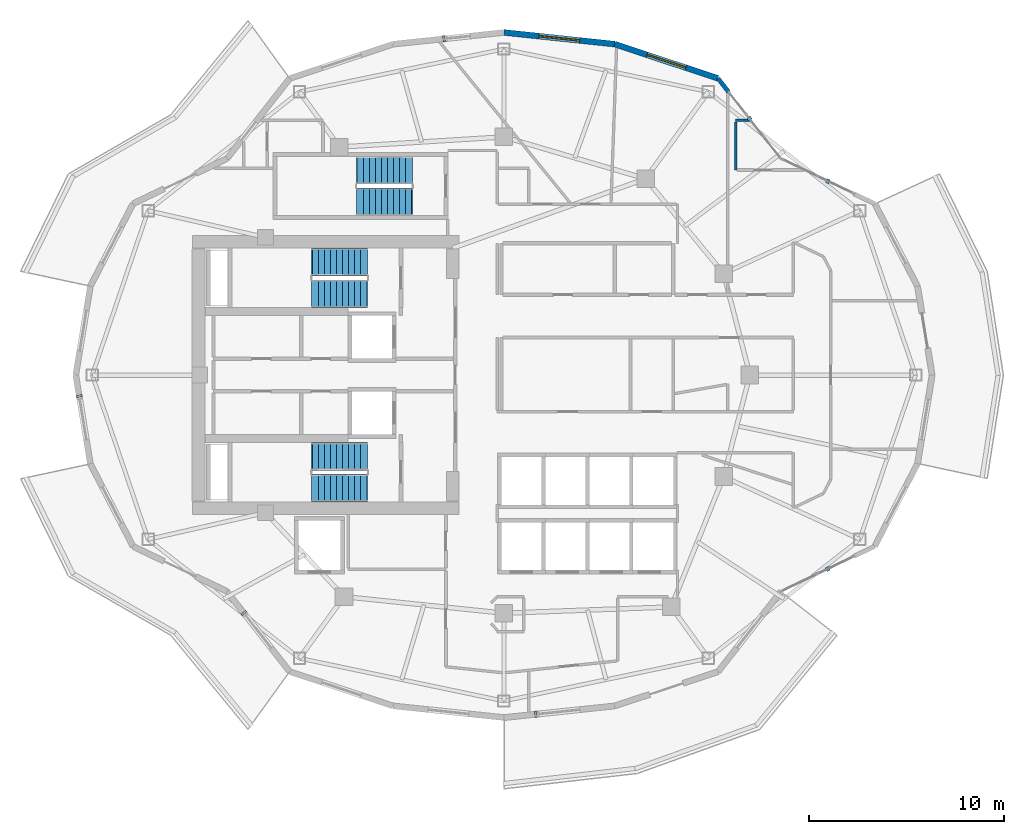
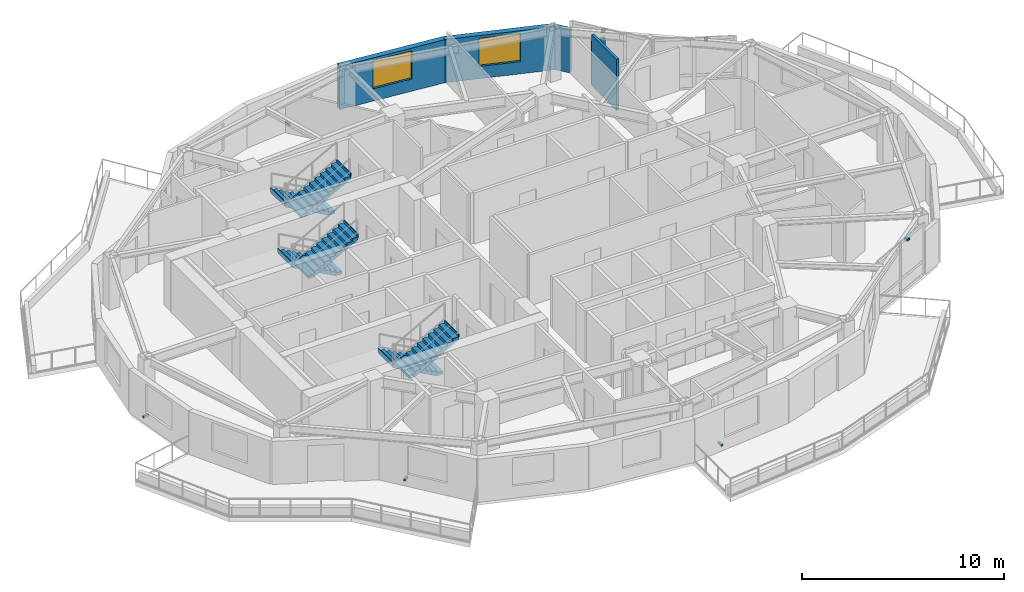
# One storey, part 9 of 13: 7 discrete accessories, 6 stair flights, 5 walls, 2 windows, 2 openings, 3 elements without a shape of their own.
"""IFC4 building model written with IfcOpenShell, lengths in metres."""

from ifc_helpers import new_model, si_unit, direction, frame, frame_2d, origin, origin_2d, place, context, subcontext, project, spatial, polyline, rectangle, outline, extrude, material, layer, layer_set, type_object, element, fill, aggregate, save


model = new_model("IFC4")

# Units and contexts
model_context = context("Model", 3, precision=1e-05, world=origin(), true_north=direction((0.0, 1.0)))
body_context = subcontext(model_context, "Body", "Model", "MODEL_VIEW")
ifc_project = project(units=[si_unit("LENGTHUNIT", "METRE"), si_unit("AREAUNIT", "SQUARE_METRE"), si_unit("VOLUMEUNIT", "CUBIC_METRE"), si_unit("PLANEANGLEUNIT", "RADIAN"), si_unit("MASSUNIT", "GRAM", prefix="KILO")], contexts=[model_context])

# Site, building, storey
site_placement = place(None, origin())
site = spatial("IfcSite", under=ifc_project, at=site_placement, CompositionType="ELEMENT")
building_placement = place(site_placement, origin())
building = spatial("IfcBuilding", under=site, at=building_placement, Name="Kolvaren Gate Tower and Convention Centre", CompositionType="ELEMENT")
storey_placement = place(building_placement, frame((0.0, 0.0, 183.5)))
storey = spatial("IfcBuildingStorey", under=building, at=storey_placement, Name="L48", CompositionType="ELEMENT", Elevation=183.5)

# Wall
ifc_material_1 = material(Name="Bogota Sabana Bush-Hammered Sandstone Cladding", Category="masonry")
ifc_layer_1 = layer(ifc_material_1, 0.219970703125)
ifc_layer_set_1 = layer_set([ifc_layer_1], Name="Bogota Sabana Bush-Hammered Sandstone Cladding")
wall_type_1 = type_object("IfcWallType", Name="ARCH-WL-PIER-220", PredefinedType="SOLIDWALL", material=ifc_layer_set_1)
wall_1_placement = place(storey_placement, frame((41.09375, 42.19873046875, 0.0), z_axis=(0.0, 0.0, 1.0), x_axis=(0.616368366719, -0.787457958566, 0.0)))
element("IfcWall", 1, at=wall_1_placement, inside=storey, type_object=wall_type_1, Name="Tower L48 Unitised Curtain Wall CW-HTL-UNIT Bay 03 Left Column Pier Wrap", PredefinedType="SOLIDWALL", context=body_context, shape_type="SweptSolid", body=[
    extrude(rectangle(XDim=0.876220703125, YDim=0.219970703125, at=frame_2d((0.43798828125, 0.0))), origin(), (0.0, 0.0, 1.0), 2.60302734375),
])

# Wall, opening, window
ifc_material_2 = material(Name="Piedmont Cream Honed Limestone Cladding", Category="masonry")
ifc_layer_2 = layer(ifc_material_2, 0.300048828125)
ifc_layer_set_2 = layer_set([ifc_layer_2], Name="Piedmont Cream Honed Limestone Cladding")
wall_type_2 = type_object("IfcWallType", Name="ARCH-WL-STONE-300", PredefinedType="SOLIDWALL", material=ifc_layer_set_2)
wall_2_placement = place(storey_placement, frame((35.802734375, 43.951904296875, 0.0), z_axis=(0.0, 0.0, 1.0), x_axis=(0.949246811547, -0.314532177636, 0.0)))
wall_2 = element("IfcWall", 2, at=wall_2_placement, inside=storey, type_object=wall_type_2, Name="Tower L48 Honed Stone Spandrel Wall EW-04", PredefinedType="SOLIDWALL", context=body_context, shape_type="SweptSolid", body=[
    extrude(rectangle(XDim=5.573974609375, YDim=0.300048828125, at=frame_2d((2.787109375, 0.0))), origin(), (0.0, 0.0, 1.0), 2.60302734375),
])
opening_1_placement = place(wall_2_placement, frame((1.737060546875, 0.0, 0.739990234375)))
opening_1 = element("IfcOpeningElement", 3, at=opening_1_placement, cuts=wall_2, Name="Opening W-02", PredefinedType="OPENING", context=body_context, shape_type="SweptSolid", body=[
    extrude(rectangle(XDim=2.10009765625, YDim=1.699951171875, at=frame_2d((1.050048828125, 0.85009765625))), frame((0.0, 0.159912109375, 0.0), z_axis=(0.0, -1.0, 0.0), x_axis=(1.0, 0.0, 0.0)), (0.0, 0.0, 1.0), 0.320068359375),
])
ifc_material_3 = material(Name="Low-E Triple Insulated Glazing Unit 44 mm", Category="glass")
window_type = type_object("IfcWindowType", Name="ARCH-WN-HTL-2100", PartitioningType="SINGLE_PANEL", PredefinedType="WINDOW", material=ifc_material_3)
window_1_placement = place(opening_1_placement, origin())
window_1 = element("IfcWindow", 4, at=window_1_placement, inside=storey, type_object=window_type, Name="Tower L48 Punched Stone Facade Window W-04", OverallHeight=1.699951171875, OverallWidth=2.10009765625, PartitioningType="SINGLE_PANEL", PredefinedType="WINDOW", context=body_context, shape_type="SweptSolid", body=[
    extrude(rectangle(XDim=2.10009765625, YDim=1.699951171875, at=frame_2d((1.050048828125, 0.85009765625))), frame((0.0, 0.030029296875, 0.0), z_axis=(0.0, -1.0, 0.0), x_axis=(1.0, 0.0, 0.0)), (0.0, 0.0, 1.0), 0.06005859375),
])
fill(opening_1, window_1)

wall_3_placement = place(storey_placement, frame((30.125, 44.550048828125, 0.0), z_axis=(0.0, 0.0, 1.0), x_axis=(0.994496545245, -0.104769372887, 0.0)))
wall_3 = element("IfcWall", 5, at=wall_3_placement, inside=storey, type_object=wall_type_2, Name="Tower L48 Honed Stone Spandrel Wall EW-05", PredefinedType="SOLIDWALL", context=body_context, shape_type="SweptSolid", body=[
    extrude(rectangle(XDim=5.709228515625, YDim=0.300048828125, at=frame_2d((2.8544921875, 0.0))), origin(), (0.0, 0.0, 1.0), 2.60302734375),
])
opening_2_placement = place(wall_3_placement, frame((1.804931640625, 0.0, 0.739990234375)))
opening_2 = element("IfcOpeningElement", 6, at=opening_2_placement, cuts=wall_3, Name="Opening W-02", PredefinedType="OPENING", context=body_context, shape_type="SweptSolid", body=[
    extrude(rectangle(XDim=2.10009765625, YDim=1.699951171875, at=frame_2d((1.050048828125, 0.85009765625))), frame((0.0, 0.159912109375, 0.0), z_axis=(0.0, -1.0, 0.0), x_axis=(1.0, 0.0, 0.0)), (0.0, 0.0, 1.0), 0.320068359375),
])
window_2_placement = place(opening_2_placement, origin())
window_2 = element("IfcWindow", 7, at=window_2_placement, inside=storey, type_object=window_type, Name="Tower L48 Punched Stone Facade Window W-05", OverallHeight=1.699951171875, OverallWidth=2.10009765625, PartitioningType="SINGLE_PANEL", PredefinedType="WINDOW", context=body_context, shape_type="SweptSolid", body=[
    extrude(rectangle(XDim=2.10009765625, YDim=1.699951171875, at=frame_2d((1.050048828125, 0.85009765625))), frame((0.0, 0.030029296875, 0.0), z_axis=(0.0, -1.0, 0.0), x_axis=(1.0, 0.0, 0.0)), (0.0, 0.0, 1.0), 0.06005859375),
])
fill(opening_2, window_2)

# Walls
ifc_material_4 = material(Name="Moisture-Resistant Cement-Board Acoustic Partition", Category="gypsum")
ifc_layer_3 = layer(ifc_material_4, 0.14990234375)
ifc_layer_set_3 = layer_set([ifc_layer_3], Name="Moisture-Resistant Cement-Board Acoustic Partition")
wall_type_3 = type_object("IfcWallType", Name="ARCH-WL-WET-150", PredefinedType="PARTITIONING", material=ifc_layer_set_3)
wall_4_placement = place(storey_placement, frame((42.0, 40.050048828125, 0.0), z_axis=(0.0, 0.0, 1.0), x_axis=(1.0, 0.0, 0.0)))
element("IfcWall", 8, at=wall_4_placement, inside=storey, type_object=wall_type_3, Name="Interior Partition WL-L48-INT-060", PredefinedType="PARTITIONING", context=body_context, shape_type="SweptSolid", body=[
    extrude(rectangle(XDim=0.74658203125, YDim=0.14990234375, at=frame_2d((0.373291015625, 0.0))), origin(), (0.0, 0.0, 1.0), 2.60302734375),
])
wall_5_placement = place(storey_placement, frame((42.0, 37.5, 0.0), z_axis=(0.0, 0.0, 1.0), x_axis=(0.0, 1.0, 0.0)))
element("IfcWall", 9, at=wall_5_placement, inside=storey, type_object=wall_type_3, Name="Interior Partition WL-L48-INT-061", PredefinedType="PARTITIONING", context=body_context, shape_type="SweptSolid", body=[
    extrude(rectangle(XDim=2.472900390625, YDim=0.14990234375, at=frame_2d((1.236328125, 0.0))), origin(), (0.0, 0.0, 1.0), 3.080078125),
])

# Stair, stair flights
ifc_material_5 = material(Name="Concrete C50/60", Category="concrete")
stair_type = type_object("IfcStairType", Name="STR-STAIR-CORE", PredefinedType="HALF_TURN_STAIR", material=ifc_material_5)
stair_1_placement = place(storey_placement, origin())
stair_1 = element("IfcStair", 10, at=stair_1_placement, inside=storey, type_object=stair_type, Name="L48 Tower North Exit Stair ST-T1", PredefinedType="HALF_TURN_STAIR")
stair_flight_type = type_object("IfcStairFlightType", Name="STR-SFL-1420", PredefinedType="STRAIGHT", material=ifc_material_5)
stair_flight_1_placement = place(storey_placement, frame((23.10009765625, 32.7900390625, 0.0), z_axis=(0.0, 0.0, 1.0), x_axis=(-1.0, 0.0, 0.0)))
stair_flight_1 = element("IfcStairFlight", 11, at=stair_flight_1_placement, type_object=stair_flight_type, Name="ST-T1 flight 1", NumberOfRisers=10, NumberOfTreads=9, PredefinedType="STRAIGHT", RiserHeight=0.17, TreadLength=0.31, context=body_context, shape_type="SweptSolid", body=[
    extrude(outline(polyline([(-0.034912109375, 0.0), (-0.034912109375, 0.169921875), (0.31005859375, 0.169921875), (0.31005859375, 0.340087890625), (0.6201171875, 0.340087890625), (0.6201171875, 0.510009765625), (0.929931640625, 0.510009765625), (0.929931640625, 0.679931640625), (1.239990234375, 0.679931640625), (1.239990234375, 0.85009765625), (1.550048828125, 0.85009765625), (1.550048828125, 1.02001953125), (1.860107421875, 1.02001953125), (1.860107421875, 1.18994140625), (2.169921875, 1.18994140625), (2.169921875, 1.360107421875), (2.47998046875, 1.360107421875), (2.47998046875, 1.530029296875), (2.7900390625, 1.530029296875), (2.7900390625, 1.699951171875), (2.8349609375, 1.699951171875), (2.8349609375, 1.5400390625), (2.7900390625, 1.359130859375), (0.311767578125, 0.0), (-0.034912109375, 0.0)])), frame((0.0, 0.7099609375, 0.0), z_axis=(0.0, -1.0, 0.0), x_axis=(1.0, 0.0, 0.0)), (0.0, 0.0, 1.0), 1.419921875),
])
stair_flight_2_placement = place(storey_placement, frame((20.31005859375, 31.169921875, 1.699951171875), z_axis=(0.0, 0.0, 1.0), x_axis=(1.0, 0.0, 0.0)))
stair_flight_2 = element("IfcStairFlight", 12, at=stair_flight_2_placement, type_object=stair_flight_type, Name="ST-T1 flight 2", NumberOfRisers=10, NumberOfTreads=9, PredefinedType="STRAIGHT", RiserHeight=0.17, TreadLength=0.31, context=body_context, shape_type="SweptSolid", body=[
    extrude(outline(polyline([(-0.034912109375, 0.0), (-0.034912109375, 0.169921875), (0.31005859375, 0.169921875), (0.31005859375, 0.340087890625), (0.6201171875, 0.340087890625), (0.6201171875, 0.510009765625), (0.929931640625, 0.510009765625), (0.929931640625, 0.679931640625), (1.239990234375, 0.679931640625), (1.239990234375, 0.85009765625), (1.550048828125, 0.85009765625), (1.550048828125, 1.02001953125), (1.860107421875, 1.02001953125), (1.860107421875, 1.18994140625), (2.169921875, 1.18994140625), (2.169921875, 1.360107421875), (2.47998046875, 1.360107421875), (2.47998046875, 1.530029296875), (2.7900390625, 1.530029296875), (2.7900390625, 1.699951171875), (2.8349609375, 1.699951171875), (2.8349609375, 1.5400390625), (2.7900390625, 1.359130859375), (0.311767578125, 0.0), (-0.034912109375, 0.0)])), frame((0.0, 0.7099609375, 0.0), z_axis=(0.0, -1.0, 0.0), x_axis=(1.0, 0.0, 0.0)), (0.0, 0.0, 1.0), 1.419921875),
])
aggregate(stair_1, [stair_flight_1, stair_flight_2])

stair_2_placement = place(storey_placement, origin())
stair_2 = element("IfcStair", 13, at=stair_2_placement, inside=storey, type_object=stair_type, Name="L48 Tower South Exit Stair ST-T2", PredefinedType="HALF_TURN_STAIR")
stair_flight_3_placement = place(storey_placement, frame((23.10009765625, 22.830078125, 0.0), z_axis=(0.0, 0.0, 1.0), x_axis=(-1.0, 0.0, 0.0)))
stair_flight_3 = element("IfcStairFlight", 14, at=stair_flight_3_placement, type_object=stair_flight_type, Name="ST-T2 flight 1", NumberOfRisers=10, NumberOfTreads=9, PredefinedType="STRAIGHT", RiserHeight=0.17, TreadLength=0.31, context=body_context, shape_type="SweptSolid", body=[
    extrude(outline(polyline([(-0.034912109375, 0.0), (-0.034912109375, 0.169921875), (0.31005859375, 0.169921875), (0.31005859375, 0.340087890625), (0.6201171875, 0.340087890625), (0.6201171875, 0.510009765625), (0.929931640625, 0.510009765625), (0.929931640625, 0.679931640625), (1.239990234375, 0.679931640625), (1.239990234375, 0.85009765625), (1.550048828125, 0.85009765625), (1.550048828125, 1.02001953125), (1.860107421875, 1.02001953125), (1.860107421875, 1.18994140625), (2.169921875, 1.18994140625), (2.169921875, 1.360107421875), (2.47998046875, 1.360107421875), (2.47998046875, 1.530029296875), (2.7900390625, 1.530029296875), (2.7900390625, 1.699951171875), (2.8349609375, 1.699951171875), (2.8349609375, 1.5400390625), (2.7900390625, 1.359130859375), (0.311767578125, 0.0), (-0.034912109375, 0.0)])), frame((0.0, 0.7099609375, 0.0), z_axis=(0.0, -1.0, 0.0), x_axis=(1.0, 0.0, 0.0)), (0.0, 0.0, 1.0), 1.419921875),
])
stair_flight_4_placement = place(storey_placement, frame((20.31005859375, 21.2099609375, 1.699951171875), z_axis=(0.0, 0.0, 1.0), x_axis=(1.0, 0.0, 0.0)))
stair_flight_4 = element("IfcStairFlight", 15, at=stair_flight_4_placement, type_object=stair_flight_type, Name="ST-T2 flight 2", NumberOfRisers=10, NumberOfTreads=9, PredefinedType="STRAIGHT", RiserHeight=0.17, TreadLength=0.31, context=body_context, shape_type="SweptSolid", body=[
    extrude(outline(polyline([(-0.034912109375, 0.0), (-0.034912109375, 0.169921875), (0.31005859375, 0.169921875), (0.31005859375, 0.340087890625), (0.6201171875, 0.340087890625), (0.6201171875, 0.510009765625), (0.929931640625, 0.510009765625), (0.929931640625, 0.679931640625), (1.239990234375, 0.679931640625), (1.239990234375, 0.85009765625), (1.550048828125, 0.85009765625), (1.550048828125, 1.02001953125), (1.860107421875, 1.02001953125), (1.860107421875, 1.18994140625), (2.169921875, 1.18994140625), (2.169921875, 1.360107421875), (2.47998046875, 1.360107421875), (2.47998046875, 1.530029296875), (2.7900390625, 1.530029296875), (2.7900390625, 1.699951171875), (2.8349609375, 1.699951171875), (2.8349609375, 1.5400390625), (2.7900390625, 1.359130859375), (0.311767578125, 0.0), (-0.034912109375, 0.0)])), frame((0.0, 0.7099609375, 0.0), z_axis=(0.0, -1.0, 0.0), x_axis=(1.0, 0.0, 0.0)), (0.0, 0.0, 1.0), 1.419921875),
])
aggregate(stair_2, [stair_flight_3, stair_flight_4])

stair_3_placement = place(storey_placement, origin())
stair_3 = element("IfcStair", 16, at=stair_3_placement, inside=storey, type_object=stair_type, Name="L48 Tower Mid-Zone Exit Stair ST-T3", PredefinedType="HALF_TURN_STAIR")
stair_flight_5_placement = place(storey_placement, frame((25.39990234375, 37.489990234375, 0.0), z_axis=(0.0, 0.0, 1.0), x_axis=(-1.0, 0.0, 0.0)))
stair_flight_5 = element("IfcStairFlight", 17, at=stair_flight_5_placement, type_object=stair_flight_type, Name="ST-T3 flight 1", NumberOfRisers=10, NumberOfTreads=9, PredefinedType="STRAIGHT", RiserHeight=0.17, TreadLength=0.31, context=body_context, shape_type="SweptSolid", body=[
    extrude(outline(polyline([(-0.034912109375, 0.0), (-0.034912109375, 0.169921875), (0.31005859375, 0.169921875), (0.31005859375, 0.340087890625), (0.6201171875, 0.340087890625), (0.6201171875, 0.510009765625), (0.929931640625, 0.510009765625), (0.929931640625, 0.679931640625), (1.239990234375, 0.679931640625), (1.239990234375, 0.85009765625), (1.550048828125, 0.85009765625), (1.550048828125, 1.02001953125), (1.860107421875, 1.02001953125), (1.860107421875, 1.18994140625), (2.169921875, 1.18994140625), (2.169921875, 1.360107421875), (2.47998046875, 1.360107421875), (2.47998046875, 1.530029296875), (2.7900390625, 1.530029296875), (2.7900390625, 1.699951171875), (2.8349609375, 1.699951171875), (2.8349609375, 1.5400390625), (2.7900390625, 1.359130859375), (0.311767578125, 0.0), (-0.034912109375, 0.0)])), frame((0.0, 0.7099609375, 0.0), z_axis=(0.0, -1.0, 0.0), x_axis=(1.0, 0.0, 0.0)), (0.0, 0.0, 1.0), 1.419921875),
])
stair_flight_6_placement = place(storey_placement, frame((22.610107421875, 35.8701171875, 1.699951171875), z_axis=(0.0, 0.0, 1.0), x_axis=(1.0, 0.0, 0.0)))
stair_flight_6 = element("IfcStairFlight", 18, at=stair_flight_6_placement, type_object=stair_flight_type, Name="ST-T3 flight 2", NumberOfRisers=10, NumberOfTreads=9, PredefinedType="STRAIGHT", RiserHeight=0.17, TreadLength=0.31, context=body_context, shape_type="SweptSolid", body=[
    extrude(outline(polyline([(-0.034912109375, 0.0), (-0.034912109375, 0.169921875), (0.31005859375, 0.169921875), (0.31005859375, 0.340087890625), (0.6201171875, 0.340087890625), (0.6201171875, 0.510009765625), (0.929931640625, 0.510009765625), (0.929931640625, 0.679931640625), (1.239990234375, 0.679931640625), (1.239990234375, 0.85009765625), (1.550048828125, 0.85009765625), (1.550048828125, 1.02001953125), (1.860107421875, 1.02001953125), (1.860107421875, 1.18994140625), (2.169921875, 1.18994140625), (2.169921875, 1.360107421875), (2.47998046875, 1.360107421875), (2.47998046875, 1.530029296875), (2.7900390625, 1.530029296875), (2.7900390625, 1.699951171875), (2.8349609375, 1.699951171875), (2.8349609375, 1.5400390625), (2.7900390625, 1.359130859375), (0.311767578125, 0.0), (-0.034912109375, 0.0)])), frame((0.0, 0.7099609375, 0.0), z_axis=(0.0, -1.0, 0.0), x_axis=(1.0, 0.0, 0.0)), (0.0, 0.0, 1.0), 1.419921875),
])
aggregate(stair_3, [stair_flight_5, stair_flight_6])

# Discrete accessories
ifc_material_6 = material(Name="Anodized Architectural Aluminium Alloy 6063-T6", Category="aluminium")
discrete_accessory_type = type_object("IfcDiscreteAccessoryType", Name="ARCH-ACC-BRACKET-120", PredefinedType="BRACKET", material=ifc_material_6)
for number, where, z_axis, x_axis, name in (
    (19, (46.718505859375, 36.930419921875, 2.89990234375), (0.0, 0.0, 1.0), (0.901358389955, -0.433073957723, 0.0), "Solar Screen Spandrel Anchor Bracket BK-L48-02"),
    (20, (42.70361328125, 40.142333984375, 2.89990234375), (0.0, 0.0, 1.0), (0.616434119112, -0.787406487651, 0.0), "Solar Screen Spandrel Anchor Bracket BK-L48-03"),
):
    element("IfcDiscreteAccessory", number, at=place(storey_placement, frame(where, z_axis=z_axis, x_axis=x_axis)), inside=storey, type_object=discrete_accessory_type, Name=name, PredefinedType="BRACKET", context=body_context, shape_type="SweptSolid", body=[
        extrude(rectangle(XDim=0.179931640625, YDim=0.219970703125, at=origin_2d()), origin(), (0.0, 0.0, 1.0), 0.1201171875),
    ])
for number, where, z_axis, x_axis, name in (
    (21, (27.052734375, 44.226318359375, 0.2900390625), (0.0, 0.0, 1.0), (0.994499249941, 0.104743696069, 0.0), "Ceramic Fin Wall Anchor Bracket FBK-L48-06"),
    (22, (8.36474609375, 25.922607421875, 0.2900390625), (0.0, 0.0, 1.0), (0.162380568014, -0.986728205298, 0.0), "Ceramic Fin Wall Anchor Bracket FBK-L48-12"),
    (23, (16.80078125, 14.81005859375, 0.2900390625), (0.0, 0.0, 1.0), (0.616434119112, -0.787406487651, 0.0), "Ceramic Fin Wall Anchor Bracket FBK-L48-15"),
    (24, (31.760986328125, 9.622314453125, 0.2900390625), (0.0, 0.0, 1.0), (0.994499249941, 0.104743696069, 0.0), "Ceramic Fin Wall Anchor Bracket FBK-L48-18"),
):
    element("IfcDiscreteAccessory", number, at=place(storey_placement, frame(where, z_axis=z_axis, x_axis=x_axis)), inside=storey, type_object=discrete_accessory_type, Name=name, PredefinedType="BRACKET", context=body_context, shape_type="SweptSolid", body=[
        extrude(rectangle(XDim=0.1201171875, YDim=0.320068359375, at=origin_2d()), origin(), (0.0, 0.0, 1.0), 0.1201171875),
    ])
discrete_accessory_placement = place(storey_placement, frame((46.718505859375, 17.069580078125, 2.89990234375), z_axis=(0.0, 0.0, 1.0), x_axis=(0.901358389955, 0.433073957723, 0.0)))
element("IfcDiscreteAccessory", 25, at=discrete_accessory_placement, inside=storey, type_object=discrete_accessory_type, Name="Solar Screen Spandrel Anchor Bracket BK-L48-21", PredefinedType="BRACKET", context=body_context, shape_type="SweptSolid", body=[
    extrude(rectangle(XDim=0.179931640625, YDim=0.219970703125, at=origin_2d()), origin(), (0.0, 0.0, 1.0), 0.1201171875),
])

save(model, "model.ifc")
